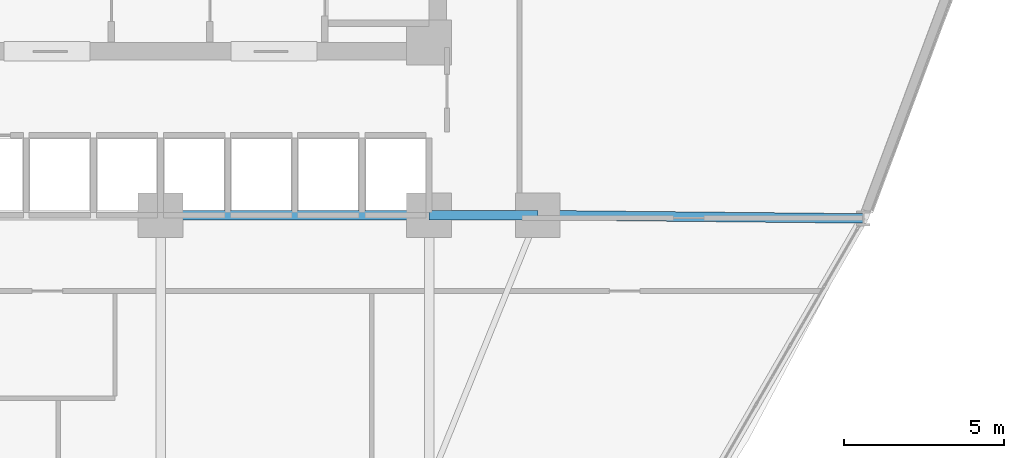
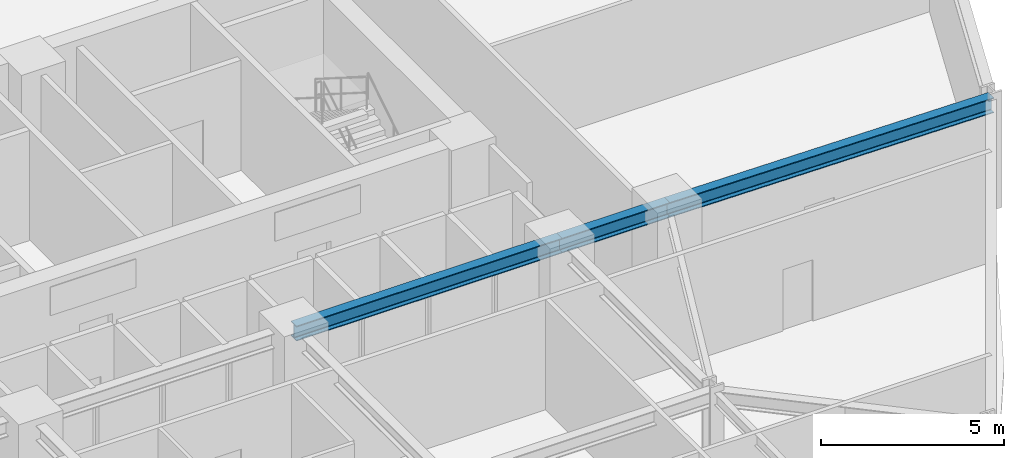
# One storey, part 9 of 22: 3 beams.
"""IFC4 building model written with IfcOpenShell, lengths in metres."""

from ifc_helpers import new_model, si_unit, derived_unit, direction, frame, origin, origin_2d, place, context, subcontext, project, spatial, i_section, extrude, source, transform, mapped, material, material_profile, profile_set, type_object, element, save


model = new_model("IFC4")

# Units and contexts
model_context = context("Model", 3, precision=1e-05, world=origin(), true_north=direction((0.0, 1.0)))
body_context = subcontext(model_context, "Body", "Model", "MODEL_VIEW")
ifc_project = project(units=[si_unit("LENGTHUNIT", "METRE"), si_unit("AREAUNIT", "SQUARE_METRE"), si_unit("VOLUMEUNIT", "CUBIC_METRE"), si_unit("PLANEANGLEUNIT", "RADIAN"), si_unit("MASSUNIT", "GRAM", prefix="KILO"), derived_unit("THERMALTRANSMITTANCEUNIT", [(si_unit("POWERUNIT", "WATT"), 1), (si_unit("LENGTHUNIT", "METRE"), -2), (si_unit("THERMODYNAMICTEMPERATUREUNIT", "KELVIN"), -1)])], contexts=[model_context])

# Site, building, storey
site_placement = place(None, origin())
site = spatial("IfcSite", under=ifc_project, at=site_placement, CompositionType="ELEMENT")
building_placement = place(site_placement, origin())
building = spatial("IfcBuilding", under=site, at=building_placement, Name="Korsvarv Bourse and Concert Hall", CompositionType="ELEMENT")
storey_placement = place(building_placement, frame((0.0, 0.0, 47.39990234375)))
storey = spatial("IfcBuildingStorey", under=building, at=storey_placement, Name="L11", CompositionType="ELEMENT", Elevation=47.39990234375)

# Beams
ifc_material = material(Name="Steel S355", Category="steel")
ifc_material_profile = material_profile(ifc_material, i_section(OverallWidth=0.300048828125, OverallDepth=0.5, WebThickness=0.014404296875, FlangeThickness=0.028076171875, FilletRadius=0.02392578125, at=origin_2d()), Name="HEB 500")
ifc_profile_set = profile_set([ifc_material_profile], Name="Steel S355")
beam_type = type_object("IfcBeamType", Name="BM-HEB500", PredefinedType="BEAM", material=ifc_profile_set)
shared_shape_1 = source(origin(), body_context, "Body", "SweptSolid", [
    extrude(i_section(OverallWidth=0.300048828125, OverallDepth=0.5, WebThickness=0.014404296875, FlangeThickness=0.028076171875, FilletRadius=0.02392578125, at=origin_2d()), origin(), (0.0, 0.0, 1.0), 3.400146484375),
])
beam_1_placement = place(storey_placement, frame((44.39990234375, 32.39990234375, 3.43017578125), z_axis=(1.0, 0.0, 0.0), x_axis=(0.0, 1.0, 0.0)))
element("IfcBeam", 1, at=beam_1_placement, inside=storey, type_object=beam_type, Name="L11 beam B-07", PredefinedType="BEAM", context=body_context, shape_type="MappedRepresentation", body=[
    mapped(shared_shape_1, transform((0.0, 0.0, 0.0), scale=1.0)),
])
shared_shape_2 = source(origin(), body_context, "Body", "SweptSolid", [
    extrude(i_section(OverallWidth=0.300048828125, OverallDepth=0.5, WebThickness=0.014404296875, FlangeThickness=0.028076171875, FilletRadius=0.02392578125, at=origin_2d()), origin(), (0.0, 0.0, 1.0), 8.39990234375),
])
beam_2_placement = place(storey_placement, frame((36.0, 32.39990234375, 3.43017578125), z_axis=(1.0, 0.0, 0.0), x_axis=(0.0, 1.0, 0.0)))
element("IfcBeam", 2, at=beam_2_placement, inside=storey, type_object=beam_type, Name="L11 beam B-07", PredefinedType="BEAM", context=body_context, shape_type="MappedRepresentation", body=[
    mapped(shared_shape_2, transform((0.0, 0.0, 0.0), scale=1.0)),
])
shared_shape_3 = source(origin(), body_context, "Body", "SweptSolid", [
    extrude(i_section(OverallWidth=0.300048828125, OverallDepth=0.5, WebThickness=0.014404296875, FlangeThickness=0.028076171875, FilletRadius=0.02392578125, at=origin_2d()), origin(), (0.0, 0.0, 1.0), 10.18359375),
])
beam_3_placement = place(storey_placement, frame((57.983154296875, 32.297119140625, 3.43017578125), z_axis=(-0.999949064493, 0.010092988639, 0.0), x_axis=(-0.010092988639, -0.999949064493, 0.0)))
element("IfcBeam", 3, at=beam_3_placement, inside=storey, type_object=beam_type, Name="L11 beam B-07", PredefinedType="BEAM", context=body_context, shape_type="MappedRepresentation", body=[
    mapped(shared_shape_3, transform((0.0, 0.0, 0.0), scale=1.0)),
])

save(model, "model.ifc")
